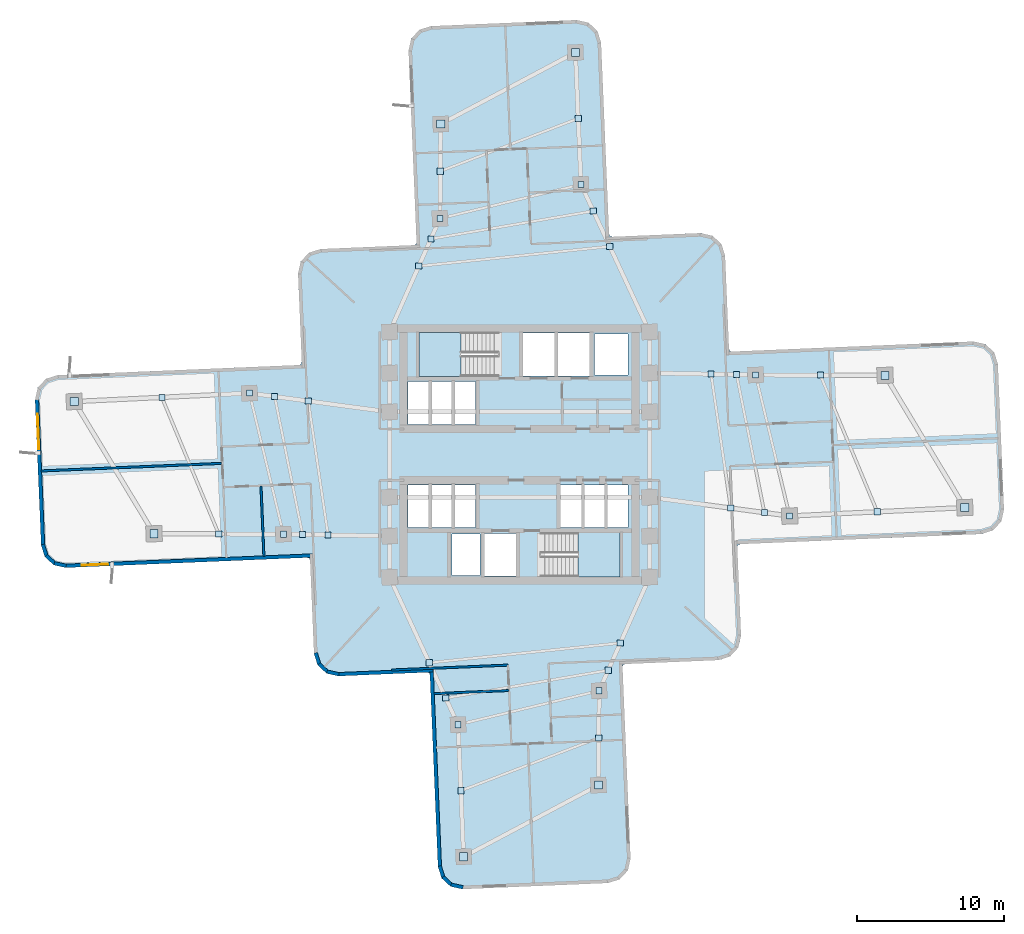
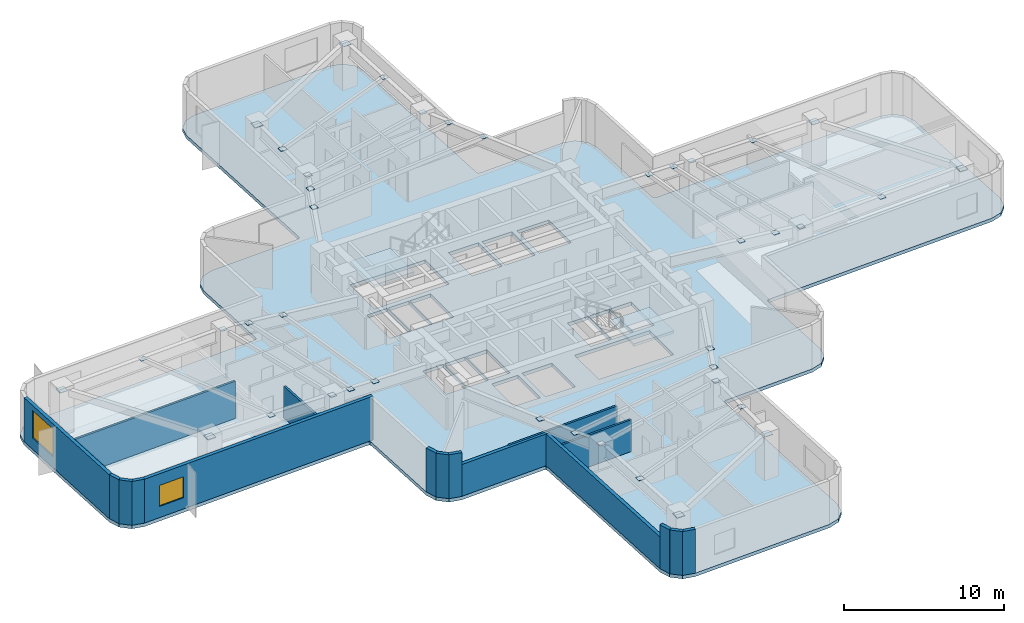
# One storey, part 2 of 10: 40 plates, 17 walls, 3 slabs, 2 windows, 2 openings, 2 elements without a shape of their own.
"""IFC4 building model written with IfcOpenShell, lengths in metres."""

from ifc_helpers import new_model, si_unit, direction, frame, frame_2d, origin, origin_2d, place, context, subcontext, project, spatial, polyline, rectangle, outline, extrude, material, layer, layer_set, type_object, element, fill, aggregate, save


model = new_model("IFC4")

# Units and contexts
model_context = context("Model", 3, precision=1e-05, world=origin(), true_north=direction((0.0, 1.0)))
body_context = subcontext(model_context, "Body", "Model", "MODEL_VIEW")
ifc_project = project(units=[si_unit("LENGTHUNIT", "METRE"), si_unit("AREAUNIT", "SQUARE_METRE"), si_unit("VOLUMEUNIT", "CUBIC_METRE"), si_unit("PLANEANGLEUNIT", "RADIAN"), si_unit("MASSUNIT", "GRAM", prefix="KILO")], contexts=[model_context])

# Site, building, storey
site_placement = place(None, origin())
site = spatial("IfcSite", under=ifc_project, at=site_placement, CompositionType="ELEMENT")
building_placement = place(site_placement, origin())
building = spatial("IfcBuilding", under=site, at=building_placement, Name="Solmarez Civic Tower", CompositionType="ELEMENT")
storey_placement = place(building_placement, frame((0.0, 0.0, 42.47998046875)))
storey = spatial("IfcBuildingStorey", under=building, at=storey_placement, Name="L10", CompositionType="ELEMENT", Elevation=42.47998046875)

# Plates
ifc_material_1 = material(Name="Steel S355", Category="steel")
ifc_layer_1 = layer(ifc_material_1, 0.02392578125)
ifc_layer_set_1 = layer_set([ifc_layer_1], Name="Steel S355")
plate_type_1 = type_object("IfcPlateType", Name="PLT-CAP-380", PredefinedType="USERDEFINED", material=ifc_layer_set_1)
for number, where, z_axis, x_axis, name in (
    (1, (18.39111328125, -4.18408203125, 3.177978515625), (0.0, 0.0, 1.0), (1.0, 0.0, 0.0), "Steel Member End Cap Plate CAP-BM-L10-EA-T1-0"),
    (2, (16.075927734375, 5.4208984375, 3.177978515625), (0.0, 0.0, 1.0), (1.0, 0.0, 0.0), "Steel Member End Cap Plate CAP-BM-L10-EA-T1-1"),
    (3, (24.35498046875, -3.89697265625, 3.177978515625), (0.0, 0.0, 1.0), (1.0, 0.0, 0.0), "Steel Member End Cap Plate CAP-JS-L10-EA-M2-0"),
    (4, (20.48193359375, 5.406982421875, 3.177978515625), (0.0, 0.0, 1.0), (1.0, 0.0, 0.0), "Steel Member End Cap Plate CAP-JS-L10-EA-M2-1"),
    (5, (14.384033203125, -3.64501953125, 3.177978515625), (0.0, 0.0, 1.0), (1.0, 0.0, 0.0), "Steel Member End Cap Plate CAP-JS-L10-EA-M11-0"),
    (6, (13.041015625, 5.47509765625, 3.177978515625), (0.0, 0.0, 1.0), (1.0, 0.0, 0.0), "Steel Member End Cap Plate CAP-JS-L10-EA-M11-1"),
    (7, (16.674072265625, -3.952880859375, 3.177978515625), (0.0, 0.0, 1.0), (1.0, 0.0, 0.0), "Steel Member End Cap Plate CAP-JS-L10-EA-M12-0"),
    (8, (14.77490234375, 5.444091796875, 3.177978515625), (0.0, 0.0, 1.0), (1.0, 0.0, 0.0), "Steel Member End Cap Plate CAP-JS-L10-EA-M12-1"),
    (9, (4.18408203125, 18.39111328125, 3.177978515625), (0.0, 0.0, 1.0), (1.0, 0.0, 0.0), "Steel Member End Cap Plate CAP-BM-L10-NA-T1-0"),
    (10, (-5.4208984375, 16.075927734375, 3.177978515625), (0.0, 0.0, 1.0), (1.0, 0.0, 0.0), "Steel Member End Cap Plate CAP-BM-L10-NA-T1-1"),
    (11, (3.9951171875, 22.886962890625, 3.177978515625), (0.0, 0.0, 1.0), (1.0, 0.0, 0.0), "Steel Member End Cap Plate CAP-JS-L10-NA-M2-0"),
    (12, (-5.39599609375, 19.291015625, 3.177978515625), (0.0, 0.0, 1.0), (1.0, 0.0, 0.0), "Steel Member End Cap Plate CAP-JS-L10-NA-M2-1"),
    (13, (6.14404296875, 14.174072265625, 3.177978515625), (0.0, 0.0, 1.0), (1.0, 0.0, 0.0), "Steel Member End Cap Plate CAP-JS-L10-NA-M11-0"),
    (14, (-6.861083984375, 12.8310546875, 3.177978515625), (0.0, 0.0, 1.0), (1.0, 0.0, 0.0), "Steel Member End Cap Plate CAP-JS-L10-NA-M11-1"),
    (15, (5.02392578125, 16.583984375, 3.177978515625), (0.0, 0.0, 1.0), (1.0, 0.0, 0.0), "Steel Member End Cap Plate CAP-JS-L10-NA-M12-0"),
    (16, (-6.0380859375, 14.68505859375, 3.177978515625), (0.0, 0.0, 1.0), (1.0, 0.0, 0.0), "Steel Member End Cap Plate CAP-JS-L10-NA-M12-1"),
    (17, (-18.39111328125, 4.18408203125, 3.177978515625), (0.0, 0.0, 1.0), (1.0, 0.0, 0.0), "Steel Member End Cap Plate CAP-BM-L10-WA-T1-0"),
    (18, (-16.075927734375, -5.4208984375, 3.177978515625), (0.0, 0.0, 1.0), (1.0, 0.0, 0.0), "Steel Member End Cap Plate CAP-BM-L10-WA-T1-1"),
    (19, (-24.35498046875, 3.89697265625, 3.177978515625), (0.0, 0.0, 1.0), (1.0, 0.0, 0.0), "Steel Member End Cap Plate CAP-JS-L10-WA-M2-0"),
    (20, (-20.48193359375, -5.406982421875, 3.177978515625), (0.0, 0.0, 1.0), (1.0, 0.0, 0.0), "Steel Member End Cap Plate CAP-JS-L10-WA-M2-1"),
    (21, (-14.384033203125, 3.64501953125, 3.177978515625), (0.0, 0.0, 1.0), (1.0, 0.0, 0.0), "Steel Member End Cap Plate CAP-JS-L10-WA-M11-0"),
    (22, (-13.041015625, -5.47509765625, 3.177978515625), (0.0, 0.0, 1.0), (1.0, 0.0, 0.0), "Steel Member End Cap Plate CAP-JS-L10-WA-M11-1"),
    (23, (-16.674072265625, 3.952880859375, 3.177978515625), (0.0, 0.0, 1.0), (1.0, 0.0, 0.0), "Steel Member End Cap Plate CAP-JS-L10-WA-M12-0"),
    (24, (-14.77490234375, -5.444091796875, 3.177978515625), (0.0, 0.0, 1.0), (1.0, 0.0, 0.0), "Steel Member End Cap Plate CAP-JS-L10-WA-M12-1"),
    (25, (-4.18408203125, -18.39111328125, 3.177978515625), (0.0, 0.0, 1.0), (1.0, 0.0, 0.0), "Steel Member End Cap Plate CAP-BM-L10-SA-T1-0"),
    (26, (5.4208984375, -16.075927734375, 3.177978515625), (0.0, 0.0, 1.0), (1.0, 0.0, 0.0), "Steel Member End Cap Plate CAP-BM-L10-SA-T1-1"),
    (27, (-3.9951171875, -22.886962890625, 3.177978515625), (0.0, 0.0, 1.0), (1.0, 0.0, 0.0), "Steel Member End Cap Plate CAP-JS-L10-SA-M2-0"),
    (28, (5.39599609375, -19.291015625, 3.177978515625), (0.0, 0.0, 1.0), (1.0, 0.0, 0.0), "Steel Member End Cap Plate CAP-JS-L10-SA-M2-1"),
    (29, (-6.14404296875, -14.174072265625, 3.177978515625), (0.0, 0.0, 1.0), (1.0, 0.0, 0.0), "Steel Member End Cap Plate CAP-JS-L10-SA-M11-0"),
    (30, (6.861083984375, -12.8310546875, 3.177978515625), (0.0, 0.0, 1.0), (1.0, 0.0, 0.0), "Steel Member End Cap Plate CAP-JS-L10-SA-M11-1"),
    (31, (-5.02392578125, -16.583984375, 3.177978515625), (0.0, 0.0, 1.0), (1.0, 0.0, 0.0), "Steel Member End Cap Plate CAP-JS-L10-SA-M12-0"),
    (32, (6.0380859375, -14.68505859375, 3.177978515625), (0.0, 0.0, 1.0), (1.0, 0.0, 0.0), "Steel Member End Cap Plate CAP-JS-L10-SA-M12-1"),
):
    element("IfcPlate", number, at=place(storey_placement, frame(where, z_axis=z_axis, x_axis=x_axis)), inside=storey, type_object=plate_type_1, Name=name, ObjectType="CAP_PLATE", PredefinedType="USERDEFINED", context=body_context, shape_type="SweptSolid", body=[
        extrude(rectangle(XDim=0.419921875, YDim=0.419921875, at=origin_2d()), origin(), (0.0, 0.0, 1.0), 0.02392578125),
    ])
ifc_layer_2 = layer(ifc_material_1, 0.028076171875)
ifc_layer_set_2 = layer_set([ifc_layer_2], Name="Steel S355")
plate_type_2 = type_object("IfcPlateType", Name="PLT-CAP-540", PredefinedType="USERDEFINED", material=ifc_layer_set_2)
for number, where, z_axis, x_axis, name in (
    (33, (30.318115234375, -3.60888671875, 3.076171875), (0.0, 0.0, 1.0), (1.0, 0.0, 0.0), "Steel Member End Cap Plate CAP-BM-L10-EA-T2-0"),
    (34, (24.887939453125, 5.39306640625, 3.076171875), (0.0, 0.0, 1.0), (1.0, 0.0, 0.0), "Steel Member End Cap Plate CAP-BM-L10-EA-T2-1"),
    (35, (3.806884765625, 27.383056640625, 3.076171875), (0.0, 0.0, 1.0), (1.0, 0.0, 0.0), "Steel Member End Cap Plate CAP-BM-L10-NA-T2-0"),
    (36, (-5.3720703125, 22.507080078125, 3.076171875), (0.0, 0.0, 1.0), (1.0, 0.0, 0.0), "Steel Member End Cap Plate CAP-BM-L10-NA-T2-1"),
    (37, (-30.318115234375, 3.60888671875, 3.076171875), (0.0, 0.0, 1.0), (1.0, 0.0, 0.0), "Steel Member End Cap Plate CAP-BM-L10-WA-T2-0"),
    (38, (-24.887939453125, -5.39306640625, 3.076171875), (0.0, 0.0, 1.0), (1.0, 0.0, 0.0), "Steel Member End Cap Plate CAP-BM-L10-WA-T2-1"),
    (39, (-3.806884765625, -27.383056640625, 3.076171875), (0.0, 0.0, 1.0), (1.0, 0.0, 0.0), "Steel Member End Cap Plate CAP-BM-L10-SA-T2-0"),
    (40, (5.3720703125, -22.507080078125, 3.076171875), (0.0, 0.0, 1.0), (1.0, 0.0, 0.0), "Steel Member End Cap Plate CAP-BM-L10-SA-T2-1"),
):
    element("IfcPlate", number, at=place(storey_placement, frame(where, z_axis=z_axis, x_axis=x_axis)), inside=storey, type_object=plate_type_2, Name=name, ObjectType="CAP_PLATE", PredefinedType="USERDEFINED", context=body_context, shape_type="SweptSolid", body=[
        extrude(rectangle(XDim=0.56005859375, YDim=0.56005859375, at=origin_2d()), origin(), (0.0, 0.0, 1.0), 0.028076171875),
    ])

# Stair, slab
ifc_material_2 = material(Name="Concrete C50/60", Category="concrete")
stair_type = type_object("IfcStairType", Name="STAIR-DOGLEG-140W-20R-1800", PredefinedType="HALF_TURN_STAIR", material=ifc_material_2)
stair_1_placement = place(storey_placement, origin())
stair_1 = element("IfcStair", 41, at=stair_1_placement, inside=storey, type_object=stair_type, Name="L10 North Core Protected Exit Stair ST-1", PredefinedType="HALF_TURN_STAIR")
ifc_layer_3 = layer(ifc_material_2, 0.199951171875)
ifc_layer_set_3 = layer_set([ifc_layer_3], Name="Concrete C50/60")
slab_type_1 = type_object("IfcSlabType", Name="SLAB-LANDING-200", PredefinedType="LANDING", material=ifc_layer_set_3)
slab_1_placement = place(storey_placement, frame((0.0, 0.0, 1.60009765625)))
slab_1 = element("IfcSlab", 42, at=slab_1_placement, type_object=slab_type_1, Name="ST-1 landing 1", PredefinedType="LANDING", context=body_context, shape_type="SweptSolid", body=[
    extrude(outline(polyline([(-3.969970703125, 8.320068359375), (-6.85009765625, 8.320068359375), (-6.85009765625, 5.320068359375), (-3.969970703125, 5.320068359375), (-3.969970703125, 8.320068359375)])), origin(), (0.0, 0.0, 1.0), 0.199951171875),
])
aggregate(stair_1, [slab_1])

stair_2_placement = place(storey_placement, origin())
stair_2 = element("IfcStair", 43, at=stair_2_placement, inside=storey, type_object=stair_type, Name="L10 South Core Protected Exit Stair ST-2", PredefinedType="HALF_TURN_STAIR")
slab_2_placement = place(storey_placement, frame((0.0, 0.0, 1.60009765625)))
slab_2 = element("IfcSlab", 44, at=slab_2_placement, type_object=slab_type_1, Name="ST-2 landing 1", PredefinedType="LANDING", context=body_context, shape_type="SweptSolid", body=[
    extrude(outline(polyline([(3.969970703125, -8.320068359375), (6.85009765625, -8.320068359375), (6.85009765625, -5.320068359375), (3.969970703125, -5.320068359375), (3.969970703125, -8.320068359375)])), origin(), (0.0, 0.0, 1.0), 0.199951171875),
])
aggregate(stair_2, [slab_2])

# Slab
ifc_layer_4 = layer(ifc_material_2, 0.260009765625)
ifc_layer_set_4 = layer_set([ifc_layer_4], Name="Concrete C50/60")
slab_type_2 = type_object("IfcSlabType", Name="SLAB-TOWER-260", PredefinedType="FLOOR", material=ifc_layer_set_4)
slab_3_placement = place(storey_placement, frame((0.0, 0.0, -0.260009765625)))
element("IfcSlab", 45, at=slab_3_placement, inside=storey, type_object=slab_type_2, Name="L10 Structural Slab", PredefinedType="FLOOR", context=body_context, shape_type="SweptSolid", body=[
    extrude(outline(polyline([(-14.260009765625, -7.214111328125), (-13.9951171875, -13.548095703125), (-13.7470703125, -14.337890625), (-13.137939453125, -14.89892578125), (-12.3291015625, -15.080078125), (-6.31494140625, -14.826904296875), (-6.14697265625, -14.864990234375), (-6.095947265625, -15.029052734375), (-5.550048828125, -28.056884765625), (-5.302001953125, -28.846923828125), (-4.693115234375, -29.407958984375), (-3.884033203125, -29.589111328125), (6.027099609375, -29.173095703125), (6.81689453125, -28.926025390625), (7.3779296875, -28.31591796875), (7.55908203125, -27.508056640625), (7.011962890625, -14.47998046875), (7.050048828125, -14.31201171875), (7.214111328125, -14.260009765625), (13.548095703125, -13.9951171875), (14.337890625, -13.7470703125), (14.89892578125, -13.137939453125), (15.080078125, -12.3291015625), (14.826904296875, -6.31494140625), (14.864990234375, -6.14697265625), (15.029052734375, -6.095947265625), (31.4541015625, -5.407958984375), (32.243896484375, -5.159912109375), (32.804931640625, -4.550048828125), (32.986083984375, -3.741943359375), (32.570068359375, 6.1689453125), (32.322998046875, 6.9599609375), (31.712890625, 7.52001953125), (30.905029296875, 7.700927734375), (14.47998046875, 7.011962890625), (14.31201171875, 7.050048828125), (14.260009765625, 7.214111328125), (13.9951171875, 13.548095703125), (13.7470703125, 14.337890625), (13.137939453125, 14.89892578125), (12.3291015625, 15.080078125), (6.31494140625, 14.826904296875), (6.14697265625, 14.864990234375), (6.095947265625, 15.029052734375), (5.550048828125, 28.056884765625), (5.302001953125, 28.846923828125), (4.693115234375, 29.407958984375), (3.884033203125, 29.589111328125), (-6.027099609375, 29.173095703125), (-6.81689453125, 28.926025390625), (-7.3779296875, 28.31591796875), (-7.55908203125, 27.508056640625), (-7.011962890625, 14.47998046875), (-7.050048828125, 14.31201171875), (-7.214111328125, 14.260009765625), (-13.548095703125, 13.9951171875), (-14.337890625, 13.7470703125), (-14.89892578125, 13.137939453125), (-15.080078125, 12.3291015625), (-14.826904296875, 6.31494140625), (-14.864990234375, 6.14697265625), (-15.029052734375, 6.095947265625), (-31.4541015625, 5.407958984375), (-32.243896484375, 5.159912109375), (-32.804931640625, 4.550048828125), (-32.986083984375, 3.741943359375), (-32.570068359375, -6.1689453125), (-32.322998046875, -6.9599609375), (-31.712890625, -7.52001953125), (-30.905029296875, -7.700927734375), (-14.47998046875, -7.011962890625), (-14.31201171875, -7.050048828125), (-14.260009765625, -7.214111328125)]), holes=[polyline([(-1.449951171875, 8.320068359375), (-6.85009765625, 8.320068359375), (-6.85009765625, 5.320068359375), (-1.449951171875, 5.320068359375), (-1.449951171875, 8.320068359375)]), polyline([(1.449951171875, -8.320068359375), (6.85009765625, -8.320068359375), (6.85009765625, -5.320068359375), (1.449951171875, -5.320068359375), (1.449951171875, -8.320068359375)]), polyline([(0.219970703125, 5.360107421875), (2.3798828125, 5.360107421875), (2.3798828125, 8.280029296875), (0.219970703125, 8.280029296875), (0.219970703125, 5.360107421875)]), polyline([(2.6201171875, 5.360107421875), (4.780029296875, 5.360107421875), (4.780029296875, 8.280029296875), (2.6201171875, 8.280029296875), (2.6201171875, 5.360107421875)]), polyline([(-2.3798828125, -8.280029296875), (-0.219970703125, -8.280029296875), (-0.219970703125, -5.360107421875), (-2.3798828125, -5.360107421875), (-2.3798828125, -8.280029296875)]), polyline([(2.800048828125, -4.9599609375), (4.280029296875, -4.9599609375), (4.280029296875, -2.06005859375), (2.800048828125, -2.06005859375), (2.800048828125, -4.9599609375)]), polyline([(4.360107421875, -4.9599609375), (5.840087890625, -4.9599609375), (5.840087890625, -2.06005859375), (4.360107421875, -2.06005859375), (4.360107421875, -4.9599609375)]), polyline([(5.919921875, -4.9599609375), (7.39990234375, -4.9599609375), (7.39990234375, -2.06005859375), (5.919921875, -2.06005859375), (5.919921875, -4.9599609375)]), polyline([(-7.60009765625, -4.9599609375), (-6.1201171875, -4.9599609375), (-6.1201171875, -2.06005859375), (-7.60009765625, -2.06005859375), (-7.60009765625, -4.9599609375)]), polyline([(-6.0400390625, -4.9599609375), (-4.56005859375, -4.9599609375), (-4.56005859375, -2.06005859375), (-6.0400390625, -2.06005859375), (-6.0400390625, -4.9599609375)]), polyline([(-4.47998046875, -4.9599609375), (-3.0, -4.9599609375), (-3.0, -2.06005859375), (-4.47998046875, -2.06005859375), (-4.47998046875, -4.9599609375)]), polyline([(-7.60009765625, 2.06005859375), (-6.1201171875, 2.06005859375), (-6.1201171875, 4.9599609375), (-7.60009765625, 4.9599609375), (-7.60009765625, 2.06005859375)]), polyline([(-6.0400390625, 2.06005859375), (-4.56005859375, 2.06005859375), (-4.56005859375, 4.9599609375), (-6.0400390625, 4.9599609375), (-6.0400390625, 2.06005859375)]), polyline([(-4.47998046875, 2.06005859375), (-3.0, 2.06005859375), (-3.0, 4.9599609375), (-4.47998046875, 4.9599609375), (-4.47998046875, 2.06005859375)]), polyline([(5.10009765625, 5.419921875), (7.39990234375, 5.419921875), (7.39990234375, 8.219970703125), (5.10009765625, 8.219970703125), (5.10009765625, 5.419921875)]), polyline([(-4.60009765625, -8.219970703125), (-2.699951171875, -8.219970703125), (-2.699951171875, -5.419921875), (-4.60009765625, -5.419921875), (-4.60009765625, -8.219970703125)])]), origin(), (0.0, 0.0, 1.0), 0.260009765625),
])

# Wall, opening, window
ifc_material_3 = material(Name="Precast concrete C40/50", Category="concrete")
ifc_layer_5 = layer(ifc_material_3, 0.239990234375)
ifc_layer_set_5 = layer_set([ifc_layer_5], Name="Precast concrete C40/50")
wall_type_1 = type_object("IfcWallType", Name="WALL-EXT-240", PredefinedType="SOLIDWALL", material=ifc_layer_set_5)
wall_1_placement = place(storey_placement, frame((-14.05810546875, -6.875, 0.0), z_axis=(0.0, 0.0, 1.0), x_axis=(-0.999124376175, -0.04183874918, 0.0)))
wall_1 = element("IfcWall", 46, at=wall_1_placement, inside=storey, type_object=wall_type_1, Name="L10 Exterior Precast Wall 2", PredefinedType="SOLIDWALL", context=body_context, shape_type="SweptSolid", body=[
    extrude(rectangle(XDim=16.875732421875, YDim=0.239990234375, at=frame_2d((8.43798828125, 0.0))), origin(), (0.0, 0.0, 1.0), 3.340087890625),
])
opening_1_placement = place(wall_1_placement, frame((13.97607421875, 0.0, 0.85009765625)))
opening_1 = element("IfcOpeningElement", 47, at=opening_1_placement, cuts=wall_1, Name="Opening W-12", PredefinedType="OPENING", context=body_context, shape_type="SweptSolid", body=[
    extrude(rectangle(XDim=1.800048828125, YDim=1.60009765625, at=frame_2d((0.89990234375, 0.800048828125))), frame((0.0, 0.1298828125, 0.0), z_axis=(0.0, -1.0, 0.0), x_axis=(1.0, 0.0, 0.0)), (0.0, 0.0, 1.0), 0.260009765625),
])
ifc_material_4 = material(Name="Solar Control Bronze-Tinted Insulating Glass", Category="glass")
window_type_1 = type_object("IfcWindowType", Name="WIN-1800X1600", PartitioningType="SINGLE_PANEL", PredefinedType="WINDOW", material=ifc_material_4)
window_1_placement = place(opening_1_placement, origin())
window_1 = element("IfcWindow", 48, at=window_1_placement, inside=storey, type_object=window_type_1, Name="L10 Exterior Facade Window 2", OverallHeight=1.60009765625, OverallWidth=1.800048828125, PartitioningType="SINGLE_PANEL", PredefinedType="WINDOW", context=body_context, shape_type="SweptSolid", body=[
    extrude(rectangle(XDim=1.800048828125, YDim=1.60009765625, at=frame_2d((0.89990234375, 0.800048828125))), frame((0.0, 0.030029296875, 0.0), z_axis=(0.0, -1.0, 0.0), x_axis=(1.0, 0.0, 0.0)), (0.0, 0.0, 1.0), 0.06005859375),
])
fill(opening_1, window_1)

# Walls
wall_2_placement = place(storey_placement, frame((-30.8701171875, -7.5849609375, 0.0), z_axis=(0.0, 0.0, 1.0), x_axis=(-0.976138507006, 0.217148831773, 0.0)))
element("IfcWall", 49, at=wall_2_placement, inside=storey, type_object=wall_type_1, Name="L10 Exterior Precast Wall 3", PredefinedType="SOLIDWALL", context=body_context, shape_type="SweptSolid", body=[
    extrude(rectangle(XDim=0.82861328125, YDim=0.239990234375, at=frame_2d((0.414306640625, 0.0))), origin(), (0.0, 0.0, 1.0), 3.340087890625),
])
wall_3_placement = place(storey_placement, frame((-31.636962890625, -7.427001953125, 0.0), z_axis=(0.0, 0.0, 1.0), x_axis=(-0.73603262681, 0.676946063044, 0.0)))
element("IfcWall", 50, at=wall_3_placement, inside=storey, type_object=wall_type_1, Name="L10 Exterior Precast Wall 4", PredefinedType="SOLIDWALL", context=body_context, shape_type="SweptSolid", body=[
    extrude(rectangle(XDim=0.81396484375, YDim=0.239990234375, at=frame_2d((0.406982421875, 0.0))), origin(), (0.0, 0.0, 1.0), 3.340087890625),
])
wall_4_placement = place(storey_placement, frame((-32.2109375, -6.9169921875, 0.0), z_axis=(0.0, 0.0, 1.0), x_axis=(-0.297805793488, 0.954626476359, 0.0)))
element("IfcWall", 51, at=wall_4_placement, inside=storey, type_object=wall_type_1, Name="L10 Exterior Precast Wall 5", PredefinedType="SOLIDWALL", context=body_context, shape_type="SweptSolid", body=[
    extrude(rectangle(XDim=0.82958984375, YDim=0.239990234375, at=frame_2d((0.414794921875, 0.0))), origin(), (0.0, 0.0, 1.0), 3.340087890625),
])

# Wall, opening, window
wall_5_placement = place(storey_placement, frame((-32.449951171875, -6.174072265625, 0.0), z_axis=(0.0, 0.0, 1.0), x_axis=(-0.041857368543, 0.999123596308, 0.0)))
wall_5 = element("IfcWall", 52, at=wall_5_placement, inside=storey, type_object=wall_type_1, Name="L10 Exterior Precast Wall 6", PredefinedType="SOLIDWALL", context=body_context, shape_type="SweptSolid", body=[
    extrude(rectangle(XDim=9.93896484375, YDim=0.239990234375, at=frame_2d((4.969482421875, 0.0))), origin(), (0.0, 0.0, 1.0), 3.340087890625),
])
opening_2_placement = place(wall_5_placement, frame((6.552001953125, 0.0, 0.85009765625)))
opening_2 = element("IfcOpeningElement", 53, at=opening_2_placement, cuts=wall_5, Name="Opening W-02", PredefinedType="OPENING", context=body_context, shape_type="SweptSolid", body=[
    extrude(rectangle(XDim=2.39990234375, YDim=2.10009765625, at=frame_2d((1.199951171875, 1.050048828125))), frame((0.0, 0.1298828125, 0.0), z_axis=(0.0, -1.0, 0.0), x_axis=(1.0, 0.0, 0.0)), (0.0, 0.0, 1.0), 0.260009765625),
])
window_type_2 = type_object("IfcWindowType", Name="WIN-2400X2100", PartitioningType="SINGLE_PANEL", PredefinedType="WINDOW", material=ifc_material_4)
window_2_placement = place(opening_2_placement, origin())
window_2 = element("IfcWindow", 54, at=window_2_placement, inside=storey, type_object=window_type_2, Name="L10 Exterior Facade Window 6", OverallHeight=2.10009765625, OverallWidth=2.39990234375, PartitioningType="SINGLE_PANEL", PredefinedType="WINDOW", context=body_context, shape_type="SweptSolid", body=[
    extrude(rectangle(XDim=2.39990234375, YDim=2.10009765625, at=frame_2d((1.199951171875, 1.050048828125))), frame((0.0, 0.030029296875, 0.0), z_axis=(0.0, -1.0, 0.0), x_axis=(1.0, 0.0, 0.0)), (0.0, 0.0, 1.0), 0.06005859375),
])
fill(opening_2, window_2)

# Walls
wall_6_placement = place(storey_placement, frame((-3.85009765625, -29.472900390625, 0.0), z_axis=(0.0, 0.0, 1.0), x_axis=(-0.976138507006, 0.217148831773, 0.0)))
element("IfcWall", 55, at=wall_6_placement, inside=storey, type_object=wall_type_1, Name="L10 Exterior Precast Wall 61", PredefinedType="SOLIDWALL", context=body_context, shape_type="SweptSolid", body=[
    extrude(rectangle(XDim=0.82861328125, YDim=0.239990234375, at=frame_2d((0.414306640625, 0.0))), origin(), (0.0, 0.0, 1.0), 3.340087890625),
])
wall_7_placement = place(storey_placement, frame((-4.616943359375, -29.31494140625, 0.0), z_axis=(0.0, 0.0, 1.0), x_axis=(-0.735482115769, 0.677544136853, 0.0)))
element("IfcWall", 56, at=wall_7_placement, inside=storey, type_object=wall_type_1, Name="L10 Exterior Precast Wall 62", PredefinedType="SOLIDWALL", context=body_context, shape_type="SweptSolid", body=[
    extrude(rectangle(XDim=0.813232421875, YDim=0.239990234375, at=frame_2d((0.40673828125, 0.0))), origin(), (0.0, 0.0, 1.0), 3.340087890625),
])
wall_8_placement = place(storey_placement, frame((-5.18994140625, -28.804931640625, 0.0), z_axis=(0.0, 0.0, 1.0), x_axis=(-0.298542680168, 0.954396284631, 0.0)))
element("IfcWall", 57, at=wall_8_placement, inside=storey, type_object=wall_type_1, Name="L10 Exterior Precast Wall 63", PredefinedType="SOLIDWALL", context=body_context, shape_type="SweptSolid", body=[
    extrude(rectangle(XDim=0.830810546875, YDim=0.239990234375, at=frame_2d((0.41552734375, 0.0))), origin(), (0.0, 0.0, 1.0), 3.340087890625),
])
wall_9_placement = place(storey_placement, frame((-5.429931640625, -28.06103515625, 0.0), z_axis=(0.0, 0.0, 1.0), x_axis=(-0.041852859621, 0.999123785195, 0.0)))
element("IfcWall", 58, at=wall_9_placement, inside=storey, type_object=wall_type_1, Name="L10 Exterior Precast Wall 64", PredefinedType="SOLIDWALL", context=body_context, shape_type="SweptSolid", body=[
    extrude(rectangle(XDim=13.474853515625, YDim=0.239990234375, at=frame_2d((6.7373046875, 0.0))), origin(), (0.0, 0.0, 1.0), 2.4208984375),
])
wall_10_placement = place(storey_placement, frame((-5.89404296875, -14.68994140625, 0.0), z_axis=(0.0, 0.0, 1.0), x_axis=(-0.999124860845, -0.041827173477, 0.0)))
element("IfcWall", 59, at=wall_10_placement, inside=storey, type_object=wall_type_1, Name="L10 Exterior Precast Wall 67", PredefinedType="SOLIDWALL", context=body_context, shape_type="SweptSolid", body=[
    extrude(rectangle(XDim=6.45556640625, YDim=0.239990234375, at=frame_2d((3.227783203125, 0.0))), origin(), (0.0, 0.0, 1.0), 2.4208984375),
])
wall_11_placement = place(storey_placement, frame((-12.294921875, -14.964111328125, 0.0), z_axis=(0.0, 0.0, 1.0), x_axis=(-0.976089939158, 0.21736704137, 0.0)))
element("IfcWall", 60, at=wall_11_placement, inside=storey, type_object=wall_type_1, Name="L10 Exterior Precast Wall 68", PredefinedType="SOLIDWALL", context=body_context, shape_type="SweptSolid", body=[
    extrude(rectangle(XDim=0.828857421875, YDim=0.239990234375, at=frame_2d((0.41455078125, 0.0))), origin(), (0.0, 0.0, 1.0), 3.340087890625),
])
wall_12_placement = place(storey_placement, frame((-13.06201171875, -14.805908203125, 0.0), z_axis=(0.0, 0.0, 1.0), x_axis=(-0.735344259965, 0.677693750404, 0.0)))
element("IfcWall", 61, at=wall_12_placement, inside=storey, type_object=wall_type_1, Name="L10 Exterior Precast Wall 69", PredefinedType="SOLIDWALL", context=body_context, shape_type="SweptSolid", body=[
    extrude(rectangle(XDim=0.81298828125, YDim=0.239990234375, at=frame_2d((0.406494140625, 0.0))), origin(), (0.0, 0.0, 1.0), 3.340087890625),
])
wall_13_placement = place(storey_placement, frame((-13.635009765625, -14.2958984375, 0.0), z_axis=(0.0, 0.0, 1.0), x_axis=(-0.298542680168, 0.954396284631, 0.0)))
element("IfcWall", 62, at=wall_13_placement, inside=storey, type_object=wall_type_1, Name="L10 Exterior Precast Wall 70", PredefinedType="SOLIDWALL", context=body_context, shape_type="SweptSolid", body=[
    extrude(rectangle(XDim=0.830810546875, YDim=0.239990234375, at=frame_2d((0.41552734375, 0.0))), origin(), (0.0, 0.0, 1.0), 3.340087890625),
])
ifc_material_5 = material(Name="Gypsum Board Acoustic Steel-Stud Partition", Category="steel")
ifc_layer_6 = layer(ifc_material_5, 0.14501953125)
ifc_layer_set_6 = layer_set([ifc_layer_6], Name="Gypsum Board Acoustic Steel-Stud Partition")
wall_type_2 = type_object("IfcWallType", Name="WALL-INT-PART-150", PredefinedType="PARTITIONING", material=ifc_layer_set_6)
wall_14_placement = place(storey_placement, frame((-17.60595703125, -2.138916015625, 0.0), z_axis=(0.0, 0.0, 1.0), x_axis=(0.041901609945, -0.999121741873, 0.0)))
element("IfcWall", 63, at=wall_14_placement, inside=storey, type_object=wall_type_2, Name="L10 Interior Partition PT-L10-W-LM", PredefinedType="PARTITIONING", context=body_context, shape_type="SweptSolid", body=[
    extrude(rectangle(XDim=4.795166015625, YDim=0.14501953125, at=frame_2d((2.3974609375, 0.0))), origin(), (0.0, 0.0, 1.0), 2.4208984375),
])
wall_15_placement = place(storey_placement, frame((-20.29296875, -0.60009765625, 0.0), z_axis=(0.0, 0.0, 1.0), x_axis=(-0.9991226833, -0.041879156098, 0.0)))
element("IfcWall", 64, at=wall_15_placement, inside=storey, type_object=wall_type_2, Name="L10 Interior Partition PT-L10-W-TM", PredefinedType="PARTITIONING", context=body_context, shape_type="SweptSolid", body=[
    extrude(rectangle(XDim=12.294677734375, YDim=0.14501953125, at=frame_2d((6.1474609375, 0.0))), origin(), (0.0, 0.0, 1.0), 2.83203125),
])
wall_16_placement = place(storey_placement, frame((-8.714111328125, -14.66796875, 0.0), z_axis=(0.0, 0.0, 1.0), x_axis=(0.999122557945, 0.041882146625, 0.0)))
element("IfcWall", 65, at=wall_16_placement, inside=storey, type_object=wall_type_2, Name="L10 Interior Partition PT-L10-S-EFR", PredefinedType="PARTITIONING", context=body_context, shape_type="SweptSolid", body=[
    extrude(rectangle(XDim=7.951171875, YDim=0.14501953125, at=frame_2d((3.9755859375, 0.0))), origin(), (0.0, 0.0, 1.0), 2.4208984375),
])
wall_17_placement = place(storey_placement, frame((-5.837890625, -16.279052734375, 0.0), z_axis=(0.0, 0.0, 1.0), x_axis=(0.999123283233, 0.041864840869, 0.0)))
element("IfcWall", 66, at=wall_17_placement, inside=storey, type_object=wall_type_2, Name="L10 Interior Partition PT-L10-S-RM", PredefinedType="PARTITIONING", context=body_context, shape_type="SweptSolid", body=[
    extrude(rectangle(XDim=5.1142578125, YDim=0.14501953125, at=frame_2d((2.55712890625, 0.0))), origin(), (0.0, 0.0, 1.0), 2.4208984375),
])

save(model, "model.ifc")
